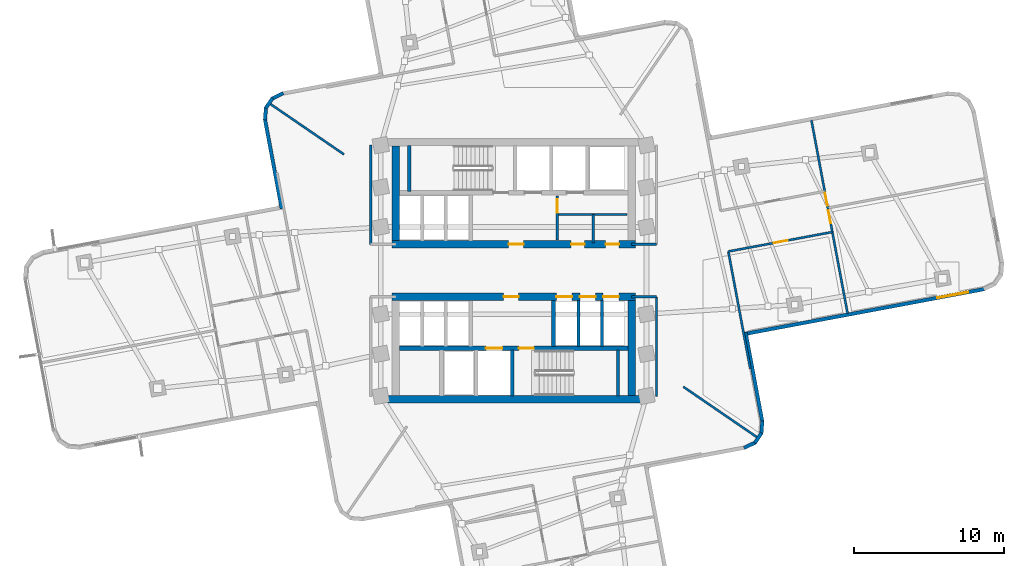
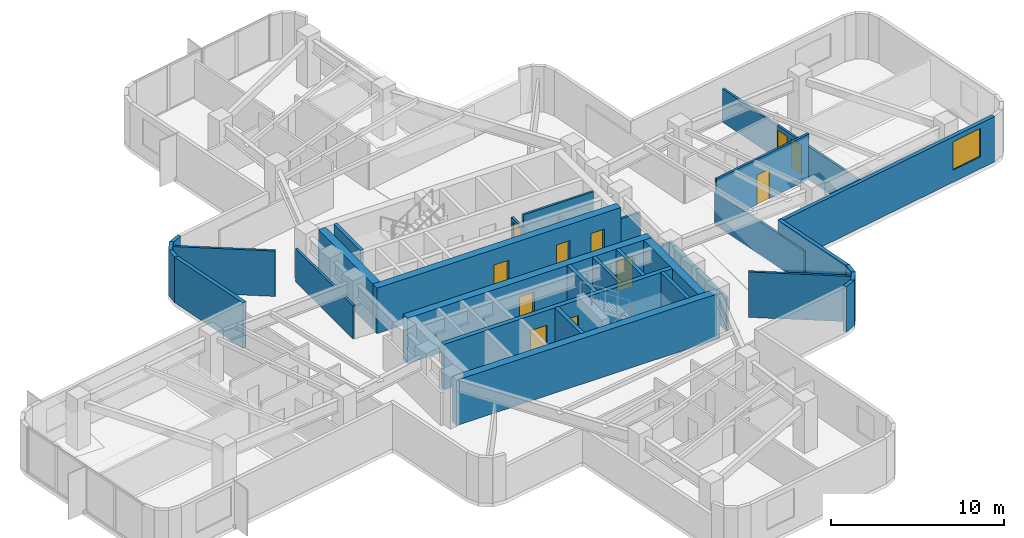
# One storey, part 7 of 12: 33 walls, 13 doors, 1 window, 14 openings.
"""IFC4 building model written with IfcOpenShell, lengths in metres."""

from ifc_helpers import new_model, si_unit, direction, frame, frame_2d, origin, place, context, subcontext, project, spatial, rectangle, extrude, material, layer, layer_set, type_object, element, fill, save


model = new_model("IFC4")

# Units and contexts
model_context = context("Model", 3, precision=1e-05, world=origin(), true_north=direction((0.0, 1.0)))
body_context = subcontext(model_context, "Body", "Model", "MODEL_VIEW")
ifc_project = project(units=[si_unit("LENGTHUNIT", "METRE"), si_unit("AREAUNIT", "SQUARE_METRE"), si_unit("VOLUMEUNIT", "CUBIC_METRE"), si_unit("PLANEANGLEUNIT", "RADIAN"), si_unit("MASSUNIT", "GRAM", prefix="KILO")], contexts=[model_context])

# Site, building, storey
site_placement = place(None, origin())
site = spatial("IfcSite", under=ifc_project, at=site_placement, CompositionType="ELEMENT")
building_placement = place(site_placement, origin())
building = spatial("IfcBuilding", under=site, at=building_placement, Name="Solmarez Civic Tower", CompositionType="ELEMENT")
storey_placement = place(building_placement, frame((0.0, 0.0, 103.679931640625)))
storey = spatial("IfcBuildingStorey", under=building, at=storey_placement, Name="L27", CompositionType="ELEMENT", Elevation=103.679931640625)

# Wall, openings, doors
ifc_material_1 = material(Name="Concrete C60/75", Category="concrete")
ifc_layer_1 = layer(ifc_material_1, 0.5)
ifc_layer_set_1 = layer_set([ifc_layer_1], Name="Concrete C60/75")
wall_type_1 = type_object("IfcWallType", Name="WALL-CORE-500", PredefinedType="SHEAR", material=ifc_layer_set_1)
wall_1_placement = place(storey_placement, frame((8.1201171875, 1.75, 0.0), z_axis=(0.0, 0.0, 1.0), x_axis=(-1.0, 0.0, 0.0)))
wall_1 = element("IfcWall", 1, at=wall_1_placement, inside=storey, type_object=wall_type_1, Name="L27 Split-Core Structural Wall NCW-S-L27", PredefinedType="SHEAR", context=body_context, shape_type="SweptSolid", body=[
    extrude(rectangle(XDim=16.240234375, YDim=0.5, at=frame_2d((8.1201171875, 0.0))), origin(), (0.0, 0.0, 1.0), 3.199951171875),
])
opening_1_placement = place(wall_1_placement, frame((7.449951171875, 0.0, 0.0)))
opening_1 = element("IfcOpeningElement", 2, at=opening_1_placement, cuts=wall_1, Name="Opening D-04", PredefinedType="OPENING", context=body_context, shape_type="SweptSolid", body=[
    extrude(rectangle(XDim=1.0, YDim=2.10009765625, at=frame_2d((0.5, 1.050048828125))), frame((0.0, 0.260009765625, 0.0), z_axis=(0.0, -1.0, 0.0), x_axis=(1.0, 0.0, 0.0)), (0.0, 0.0, 1.0), 0.52001953125),
])
opening_2_placement = place(wall_1_placement, frame((3.39990234375, 0.0, 0.0)))
opening_2 = element("IfcOpeningElement", 3, at=opening_2_placement, cuts=wall_1, Name="Opening D-09", PredefinedType="OPENING", context=body_context, shape_type="SweptSolid", body=[
    extrude(rectangle(XDim=0.89990234375, YDim=2.06005859375, at=frame_2d((0.449951171875, 1.030029296875))), frame((0.0, 0.260009765625, 0.0), z_axis=(0.0, -1.0, 0.0), x_axis=(1.0, 0.0, 0.0)), (0.0, 0.0, 1.0), 0.52001953125),
])
opening_3_placement = place(wall_1_placement, frame((1.10009765625, 0.0, 0.0)))
opening_3 = element("IfcOpeningElement", 4, at=opening_3_placement, cuts=wall_1, Name="Opening D-09", PredefinedType="OPENING", context=body_context, shape_type="SweptSolid", body=[
    extrude(rectangle(XDim=0.89990234375, YDim=2.06005859375, at=frame_2d((0.449951171875, 1.030029296875))), frame((0.0, 0.260009765625, 0.0), z_axis=(0.0, -1.0, 0.0), x_axis=(1.0, 0.0, 0.0)), (0.0, 0.0, 1.0), 0.52001953125),
])
ifc_material_2 = material(Name="Steel-Faced Acoustic Fire Door", Category="steel")
door_type_1 = type_object("IfcDoorType", Name="DOOR-FD60-1000", OperationType="NOTDEFINED", PredefinedType="DOOR", material=ifc_material_2)
door_1_placement = place(opening_1_placement, origin())
door_1 = element("IfcDoor", 5, at=door_1_placement, inside=storey, type_object=door_type_1, Name="L27 North Firefighting Lobby Door", OperationType="SINGLE_SWING_RIGHT", OverallHeight=2.10009765625, OverallWidth=1.0, PredefinedType="DOOR", context=body_context, shape_type="SweptSolid", body=[
    extrude(rectangle(XDim=1.0, YDim=2.10009765625, at=frame_2d((0.5, 1.050048828125))), frame((0.0, 0.02490234375, 0.0), z_axis=(0.0, -1.0, 0.0), x_axis=(1.0, 0.0, 0.0)), (0.0, 0.0, 1.0), 0.050048828125),
])
fill(opening_1, door_1)
ifc_material_3 = material(Name="Fire-Rated Service Core Door", Category="wood")
door_type_2 = type_object("IfcDoorType", Name="DOOR-FD60-900", OperationType="NOTDEFINED", PredefinedType="DOOR", material=ifc_material_3)
door_2_placement = place(opening_2_placement, origin())
door_2 = element("IfcDoor", 6, at=door_2_placement, inside=storey, type_object=door_type_2, Name="L27 Core WC Door", OperationType="SINGLE_SWING_LEFT", OverallHeight=2.06005859375, OverallWidth=0.89990234375, PredefinedType="DOOR", context=body_context, shape_type="SweptSolid", body=[
    extrude(rectangle(XDim=0.89990234375, YDim=2.06005859375, at=frame_2d((0.449951171875, 1.030029296875))), frame((0.0, 0.02490234375, 0.0), z_axis=(0.0, -1.0, 0.0), x_axis=(1.0, 0.0, 0.0)), (0.0, 0.0, 1.0), 0.050048828125),
])
fill(opening_2, door_2)
door_3_placement = place(opening_3_placement, origin())
door_3 = element("IfcDoor", 7, at=door_3_placement, inside=storey, type_object=door_type_2, Name="L27 Core CL Door", OperationType="SINGLE_SWING_RIGHT", OverallHeight=2.06005859375, OverallWidth=0.89990234375, PredefinedType="DOOR", context=body_context, shape_type="SweptSolid", body=[
    extrude(rectangle(XDim=0.89990234375, YDim=2.06005859375, at=frame_2d((0.449951171875, 1.030029296875))), frame((0.0, 0.02490234375, 0.0), z_axis=(0.0, -1.0, 0.0), x_axis=(1.0, 0.0, 0.0)), (0.0, 0.0, 1.0), 0.050048828125),
])
fill(opening_3, door_3)

# Walls
wall_2_placement = place(storey_placement, frame((-7.8701171875, 2.0, 0.0), z_axis=(0.0, 0.0, 1.0), x_axis=(0.0, 1.0, 0.0)))
element("IfcWall", 8, at=wall_2_placement, inside=storey, type_object=wall_type_1, Name="L27 Split-Core Structural Wall NCW-W-L27", PredefinedType="SHEAR", context=body_context, shape_type="SweptSolid", body=[
    extrude(rectangle(XDim=6.31005859375, YDim=0.5, at=frame_2d((3.155029296875, 0.0))), origin(), (0.0, 0.0, 1.0), 3.199951171875),
])
wall_3_placement = place(storey_placement, frame((8.780029296875, -8.56005859375, 0.0), z_axis=(0.0, 0.0, 1.0), x_axis=(-1.0, 0.0, 0.0)))
element("IfcWall", 9, at=wall_3_placement, inside=storey, type_object=wall_type_1, Name="L27 Split-Core Structural Wall SCW-S-L27", PredefinedType="SHEAR", context=body_context, shape_type="SweptSolid", body=[
    extrude(rectangle(XDim=17.56005859375, YDim=0.5, at=frame_2d((8.780029296875, 0.0))), origin(), (0.0, 0.0, 1.0), 3.199951171875),
])

# Wall, openings, doors
wall_4_placement = place(storey_placement, frame((-8.1201171875, -1.75, 0.0), z_axis=(0.0, 0.0, 1.0), x_axis=(1.0, 0.0, 0.0)))
wall_4 = element("IfcWall", 10, at=wall_4_placement, inside=storey, type_object=wall_type_1, Name="L27 Split-Core Structural Wall SCW-N-L27", PredefinedType="SHEAR", context=body_context, shape_type="SweptSolid", body=[
    extrude(rectangle(XDim=16.240234375, YDim=0.5, at=frame_2d((8.1201171875, 0.0))), origin(), (0.0, 0.0, 1.0), 3.199951171875),
])
opening_4_placement = place(wall_4_placement, frame((7.449951171875, 0.0, 0.0)))
opening_4 = element("IfcOpeningElement", 11, at=opening_4_placement, cuts=wall_4, Name="Opening D-04", PredefinedType="OPENING", context=body_context, shape_type="SweptSolid", body=[
    extrude(rectangle(XDim=1.0, YDim=2.10009765625, at=frame_2d((0.5, 1.050048828125))), frame((0.0, 0.260009765625, 0.0), z_axis=(0.0, -1.0, 0.0), x_axis=(1.0, 0.0, 0.0)), (0.0, 0.0, 1.0), 0.52001953125),
])
opening_5_placement = place(wall_4_placement, frame((10.965087890625, 0.0, 0.0)))
opening_5 = element("IfcOpeningElement", 12, at=opening_5_placement, cuts=wall_4, Name="Opening LD-01", PredefinedType="OPENING", context=body_context, shape_type="SweptSolid", body=[
    extrude(rectangle(XDim=1.050048828125, YDim=2.14990234375, at=frame_2d((0.52490234375, 1.074951171875))), frame((0.0, 0.260009765625, 0.0), z_axis=(0.0, -1.0, 0.0), x_axis=(1.0, 0.0, 0.0)), (0.0, 0.0, 1.0), 0.52001953125),
])
opening_6_placement = place(wall_4_placement, frame((12.52490234375, 0.0, 0.0)))
opening_6 = element("IfcOpeningElement", 13, at=opening_6_placement, cuts=wall_4, Name="Opening LD-01", PredefinedType="OPENING", context=body_context, shape_type="SweptSolid", body=[
    extrude(rectangle(XDim=1.050048828125, YDim=2.14990234375, at=frame_2d((0.52490234375, 1.074951171875))), frame((0.0, 0.260009765625, 0.0), z_axis=(0.0, -1.0, 0.0), x_axis=(1.0, 0.0, 0.0)), (0.0, 0.0, 1.0), 0.52001953125),
])
opening_7_placement = place(wall_4_placement, frame((14.0849609375, 0.0, 0.0)))
opening_7 = element("IfcOpeningElement", 14, at=opening_7_placement, cuts=wall_4, Name="Opening LD-01", PredefinedType="OPENING", context=body_context, shape_type="SweptSolid", body=[
    extrude(rectangle(XDim=1.050048828125, YDim=2.14990234375, at=frame_2d((0.52490234375, 1.074951171875))), frame((0.0, 0.260009765625, 0.0), z_axis=(0.0, -1.0, 0.0), x_axis=(1.0, 0.0, 0.0)), (0.0, 0.0, 1.0), 0.52001953125),
])
door_4_placement = place(opening_4_placement, origin())
door_4 = element("IfcDoor", 15, at=door_4_placement, inside=storey, type_object=door_type_1, Name="L27 South Firefighting Lobby Door", OperationType="SINGLE_SWING_LEFT", OverallHeight=2.10009765625, OverallWidth=1.0, PredefinedType="DOOR", context=body_context, shape_type="SweptSolid", body=[
    extrude(rectangle(XDim=1.0, YDim=2.10009765625, at=frame_2d((0.5, 1.050048828125))), frame((0.0, 0.02490234375, 0.0), z_axis=(0.0, -1.0, 0.0), x_axis=(1.0, 0.0, 0.0)), (0.0, 0.0, 1.0), 0.050048828125),
])
fill(opening_4, door_4)
ifc_material_4 = material(Name="Bronze Passenger Lift Landing Sliding Door", Category="aluminium")
door_type_3 = type_object("IfcDoorType", Name="DOOR-LD-PAX-1050", OperationType="DOUBLE_DOOR_SLIDING", PredefinedType="DOOR", material=ifc_material_4)
door_5_placement = place(opening_5_placement, origin())
door_5 = element("IfcDoor", 16, at=door_5_placement, inside=storey, type_object=door_type_3, Name="L27 Low-Rise Lift Landing Door PL-L1", OperationType="DOUBLE_DOOR_SLIDING", OverallHeight=2.14990234375, OverallWidth=1.050048828125, PredefinedType="DOOR", context=body_context, shape_type="SweptSolid", body=[
    extrude(rectangle(XDim=1.050048828125, YDim=2.14990234375, at=frame_2d((0.52490234375, 1.074951171875))), frame((0.0, 0.02490234375, 0.0), z_axis=(0.0, -1.0, 0.0), x_axis=(1.0, 0.0, 0.0)), (0.0, 0.0, 1.0), 0.050048828125),
])
fill(opening_5, door_5)
door_6_placement = place(opening_6_placement, origin())
door_6 = element("IfcDoor", 17, at=door_6_placement, inside=storey, type_object=door_type_3, Name="L27 Low-Rise Lift Landing Door PL-L2", OperationType="DOUBLE_DOOR_SLIDING", OverallHeight=2.14990234375, OverallWidth=1.050048828125, PredefinedType="DOOR", context=body_context, shape_type="SweptSolid", body=[
    extrude(rectangle(XDim=1.050048828125, YDim=2.14990234375, at=frame_2d((0.52490234375, 1.074951171875))), frame((0.0, 0.02490234375, 0.0), z_axis=(0.0, -1.0, 0.0), x_axis=(1.0, 0.0, 0.0)), (0.0, 0.0, 1.0), 0.050048828125),
])
fill(opening_6, door_6)
door_7_placement = place(opening_7_placement, origin())
door_7 = element("IfcDoor", 18, at=door_7_placement, inside=storey, type_object=door_type_3, Name="L27 Low-Rise Lift Landing Door PL-L3", OperationType="DOUBLE_DOOR_SLIDING", OverallHeight=2.14990234375, OverallWidth=1.050048828125, PredefinedType="DOOR", context=body_context, shape_type="SweptSolid", body=[
    extrude(rectangle(XDim=1.050048828125, YDim=2.14990234375, at=frame_2d((0.52490234375, 1.074951171875))), frame((0.0, 0.02490234375, 0.0), z_axis=(0.0, -1.0, 0.0), x_axis=(1.0, 0.0, 0.0)), (0.0, 0.0, 1.0), 0.050048828125),
])
fill(opening_7, door_7)

# Walls
wall_5_placement = place(storey_placement, frame((7.8701171875, -2.0, 0.0), z_axis=(0.0, 0.0, 1.0), x_axis=(0.0, -1.0, 0.0)))
element("IfcWall", 19, at=wall_5_placement, inside=storey, type_object=wall_type_1, Name="L27 Split-Core Structural Wall SCW-E-L27", PredefinedType="SHEAR", context=body_context, shape_type="SweptSolid", body=[
    extrude(rectangle(XDim=6.31005859375, YDim=0.5, at=frame_2d((3.155029296875, 0.0))), origin(), (0.0, 0.0, 1.0), 3.199951171875),
])
ifc_material_5 = material(Name="Precast concrete C40/50", Category="concrete")
ifc_layer_2 = layer(ifc_material_5, 0.239990234375)
ifc_layer_set_2 = layer_set([ifc_layer_2], Name="Precast concrete C40/50")
wall_type_2 = type_object("IfcWallType", Name="WALL-EXT-240", PredefinedType="SOLIDWALL", material=ifc_layer_set_2)
wall_6_placement = place(storey_placement, frame((-15.449951171875, 4.113037109375, 0.0), z_axis=(0.0, 0.0, 1.0), x_axis=(-0.18406771587, 0.982913564854, 0.0)))
element("IfcWall", 20, at=wall_6_placement, inside=storey, type_object=wall_type_2, Name="L27 Exterior Precast Wall 13", PredefinedType="SOLIDWALL", context=body_context, shape_type="SweptSolid", body=[
    extrude(rectangle(XDim=6.07470703125, YDim=0.239990234375, at=frame_2d((3.037353515625, 0.0))), origin(), (0.0, 0.0, 1.0), 3.199951171875),
])
wall_7_placement = place(storey_placement, frame((-16.56494140625, 10.033935546875, 0.0), z_axis=(0.0, 0.0, 1.0), x_axis=(0.077011179273, 0.997030229365, 0.0)))
element("IfcWall", 21, at=wall_7_placement, inside=storey, type_object=wall_type_2, Name="L27 Exterior Precast Wall 14", PredefinedType="SOLIDWALL", context=body_context, shape_type="SweptSolid", body=[
    extrude(rectangle(XDim=0.83056640625, YDim=0.239990234375, at=frame_2d((0.415283203125, 0.0))), origin(), (0.0, 0.0, 1.0), 3.199951171875),
])
wall_8_placement = place(storey_placement, frame((-16.51708984375, 10.81591796875, 0.0), z_axis=(0.0, 0.0, 1.0), x_axis=(0.563941688624, 0.825814611055, 0.0)))
element("IfcWall", 22, at=wall_8_placement, inside=storey, type_object=wall_type_2, Name="L27 Exterior Precast Wall 15", PredefinedType="SOLIDWALL", context=body_context, shape_type="SweptSolid", body=[
    extrude(rectangle(XDim=0.81396484375, YDim=0.239990234375, at=frame_2d((0.406982421875, 0.0))), origin(), (0.0, 0.0, 1.0), 3.199951171875),
])
wall_9_placement = place(storey_placement, frame((-16.094970703125, 11.4560546875, 0.0), z_axis=(0.0, 0.0, 1.0), x_axis=(0.902044756706, 0.431642510533, 0.0)))
element("IfcWall", 23, at=wall_9_placement, inside=storey, type_object=wall_type_2, Name="L27 Exterior Precast Wall 16", PredefinedType="SOLIDWALL", context=body_context, shape_type="SweptSolid", body=[
    extrude(rectangle(XDim=0.83154296875, YDim=0.239990234375, at=frame_2d((0.415771484375, 0.0))), origin(), (0.0, 0.0, 1.0), 3.199951171875),
])

# Wall, opening, window
wall_10_placement = place(storey_placement, frame((31.37109375, -1.22998046875, 0.0), z_axis=(0.0, 0.0, 1.0), x_axis=(-0.982920382654, -0.18403130539, 0.0)))
wall_10 = element("IfcWall", 24, at=wall_10_placement, inside=storey, type_object=wall_type_2, Name="L27 Exterior Precast Wall 46", PredefinedType="SOLIDWALL", context=body_context, shape_type="SweptSolid", body=[
    extrude(rectangle(XDim=16.275146484375, YDim=0.239990234375, at=frame_2d((8.1376953125, 0.0))), origin(), (0.0, 0.0, 1.0), 3.199951171875),
])
opening_8_placement = place(wall_10_placement, frame((1.10009765625, 0.0, 0.85009765625)))
opening_8 = element("IfcOpeningElement", 25, at=opening_8_placement, cuts=wall_10, Name="Opening W-03", PredefinedType="OPENING", context=body_context, shape_type="SweptSolid", body=[
    extrude(rectangle(XDim=2.10009765625, YDim=2.0, at=frame_2d((1.050048828125, 1.0))), frame((0.0, 0.1298828125, 0.0), z_axis=(0.0, -1.0, 0.0), x_axis=(1.0, 0.0, 0.0)), (0.0, 0.0, 1.0), 0.260009765625),
])
ifc_material_6 = material(Name="Solar Control Bronze-Tinted Insulating Glass", Category="glass")
window_type = type_object("IfcWindowType", Name="WIN-2100X2000", PartitioningType="SINGLE_PANEL", PredefinedType="WINDOW", material=ifc_material_6)
window_placement = place(opening_8_placement, origin())
window = element("IfcWindow", 26, at=window_placement, inside=storey, type_object=window_type, Name="L27 Exterior Facade Window 46", OverallHeight=2.0, OverallWidth=2.10009765625, PartitioningType="SINGLE_PANEL", PredefinedType="WINDOW", context=body_context, shape_type="SweptSolid", body=[
    extrude(rectangle(XDim=2.10009765625, YDim=2.0, at=frame_2d((1.050048828125, 1.0))), frame((0.0, 0.030029296875, 0.0), z_axis=(0.0, -1.0, 0.0), x_axis=(1.0, 0.0, 0.0)), (0.0, 0.0, 1.0), 0.06005859375),
])
fill(opening_8, window)

# Walls
wall_11_placement = place(storey_placement, frame((15.449951171875, -4.113037109375, 0.0), z_axis=(0.0, 0.0, 1.0), x_axis=(0.18406771587, -0.982913564854, 0.0)))
element("IfcWall", 27, at=wall_11_placement, inside=storey, type_object=wall_type_2, Name="L27 Exterior Precast Wall 49", PredefinedType="SOLIDWALL", context=body_context, shape_type="SweptSolid", body=[
    extrude(rectangle(XDim=6.07470703125, YDim=0.239990234375, at=frame_2d((3.037353515625, 0.0))), origin(), (0.0, 0.0, 1.0), 3.199951171875),
])
wall_12_placement = place(storey_placement, frame((16.56494140625, -10.033935546875, 0.0), z_axis=(0.0, 0.0, 1.0), x_axis=(-0.077011179273, -0.997030229365, 0.0)))
element("IfcWall", 28, at=wall_12_placement, inside=storey, type_object=wall_type_2, Name="L27 Exterior Precast Wall 50", PredefinedType="SOLIDWALL", context=body_context, shape_type="SweptSolid", body=[
    extrude(rectangle(XDim=0.83056640625, YDim=0.239990234375, at=frame_2d((0.415283203125, 0.0))), origin(), (0.0, 0.0, 1.0), 3.199951171875),
])
wall_13_placement = place(storey_placement, frame((16.51708984375, -10.81591796875, 0.0), z_axis=(0.0, 0.0, 1.0), x_axis=(-0.563941688624, -0.825814611055, 0.0)))
element("IfcWall", 29, at=wall_13_placement, inside=storey, type_object=wall_type_2, Name="L27 Exterior Precast Wall 51", PredefinedType="SOLIDWALL", context=body_context, shape_type="SweptSolid", body=[
    extrude(rectangle(XDim=0.81396484375, YDim=0.239990234375, at=frame_2d((0.406982421875, 0.0))), origin(), (0.0, 0.0, 1.0), 3.199951171875),
])
wall_14_placement = place(storey_placement, frame((16.094970703125, -11.4560546875, 0.0), z_axis=(0.0, 0.0, 1.0), x_axis=(-0.902044756706, -0.431642510533, 0.0)))
element("IfcWall", 30, at=wall_14_placement, inside=storey, type_object=wall_type_2, Name="L27 Exterior Precast Wall 52", PredefinedType="SOLIDWALL", context=body_context, shape_type="SweptSolid", body=[
    extrude(rectangle(XDim=0.83154296875, YDim=0.239990234375, at=frame_2d((0.415771484375, 0.0))), origin(), (0.0, 0.0, 1.0), 3.199951171875),
])
ifc_material_7 = material(Name="Gypsum Board Acoustic Steel-Stud Partition", Category="steel")
ifc_layer_3 = layer(ifc_material_7, 0.14990234375)
ifc_layer_set_3 = layer_set([ifc_layer_3], Name="Gypsum Board Acoustic Steel-Stud Partition")
wall_type_3 = type_object("IfcWallType", Name="WALL-INT-FIRE-150", PredefinedType="PARTITIONING", material=ifc_layer_set_3)
wall_15_placement = place(storey_placement, frame((-9.52001953125, 1.75, 0.0), z_axis=(0.0, 0.0, 1.0), x_axis=(0.0, 1.0, 0.0)))
element("IfcWall", 31, at=wall_15_placement, inside=storey, type_object=wall_type_3, Name="L27 Interior Partition CHW-L27-WN1", PredefinedType="PARTITIONING", context=body_context, shape_type="SweptSolid", body=[
    extrude(rectangle(XDim=6.6298828125, YDim=0.14990234375, at=frame_2d((3.31494140625, 0.0))), origin(), (0.0, 0.0, 1.0), 2.345947265625),
])
wall_16_placement = place(storey_placement, frame((7.85009765625, 1.75, 0.0), z_axis=(0.0, 0.0, 1.0), x_axis=(1.0, 0.0, 0.0)))
element("IfcWall", 32, at=wall_16_placement, inside=storey, type_object=wall_type_3, Name="L27 Interior Partition CHW-L27-EN3", PredefinedType="PARTITIONING", context=body_context, shape_type="SweptSolid", body=[
    extrude(rectangle(XDim=1.669921875, YDim=0.14990234375, at=frame_2d((0.8349609375, 0.0))), origin(), (0.0, 0.0, 1.0), 2.26513671875),
])
wall_17_placement = place(storey_placement, frame((9.52001953125, -8.3798828125, 0.0), z_axis=(0.0, 0.0, 1.0), x_axis=(0.0, 1.0, 0.0)))
element("IfcWall", 33, at=wall_17_placement, inside=storey, type_object=wall_type_3, Name="L27 Interior Partition CHW-L27-ES1", PredefinedType="PARTITIONING", context=body_context, shape_type="SweptSolid", body=[
    extrude(rectangle(XDim=6.6298828125, YDim=0.14990234375, at=frame_2d((3.31494140625, 0.0))), origin(), (0.0, 0.0, 1.0), 2.345947265625),
])
wall_18_placement = place(storey_placement, frame((7.85009765625, -1.75, 0.0), z_axis=(0.0, 0.0, 1.0), x_axis=(1.0, 0.0, 0.0)))
element("IfcWall", 34, at=wall_18_placement, inside=storey, type_object=wall_type_3, Name="L27 Interior Partition CHW-L27-ES3", PredefinedType="PARTITIONING", context=body_context, shape_type="SweptSolid", body=[
    extrude(rectangle(XDim=1.669921875, YDim=0.14990234375, at=frame_2d((0.8349609375, 0.0))), origin(), (0.0, 0.0, 1.0), 2.26513671875),
])
ifc_layer_4 = layer(ifc_material_7, 0.14501953125)
ifc_layer_set_4 = layer_set([ifc_layer_4], Name="Gypsum Board Acoustic Steel-Stud Partition")
wall_type_4 = type_object("IfcWallType", Name="WALL-INT-PART-150", PredefinedType="PARTITIONING", material=ifc_layer_set_4)
for number, where, z_axis, x_axis, name in (
    (35, (-11.300048828125, 7.738037109375, 0.0), (0.0, 0.0, 1.0), (-0.825173577049, 0.564879250584, 0.0), "L27 Interior Partition PT-L27-QDIV-2"),
    (36, (11.300048828125, -7.738037109375, 0.0), (0.0, 0.0, 1.0), (0.825173577049, -0.564879250584, 0.0), "L27 Interior Partition PT-L27-QDIV-4"),
):
    element("IfcWall", number, at=place(storey_placement, frame(where, z_axis=z_axis, x_axis=x_axis)), inside=storey, type_object=wall_type_4, Name=name, PredefinedType="PARTITIONING", context=body_context, shape_type="SweptSolid", body=[
        extrude(rectangle(XDim=5.958740234375, YDim=0.14501953125, at=frame_2d((2.9794921875, 0.0))), origin(), (0.0, 0.0, 1.0), 3.199951171875),
    ])
wall_19_placement = place(storey_placement, frame((15.760986328125, -6.531982421875, 0.0), z_axis=(0.0, 0.0, 1.0), x_axis=(-0.184017811376, 0.98292290903, 0.0)))
element("IfcWall", 37, at=wall_19_placement, inside=storey, type_object=wall_type_4, Name="L27 Interior Partition PT-L27-E-EFR", PredefinedType="PARTITIONING", context=body_context, shape_type="SweptSolid", body=[
    extrude(rectangle(XDim=7.94970703125, YDim=0.14501953125, at=frame_2d((3.974853515625, 0.0))), origin(), (0.0, 0.0, 1.0), 2.345947265625),
])

# Wall, opening, door
wall_20_placement = place(storey_placement, frame((14.300048828125, 1.27197265625, 0.0), z_axis=(0.0, 0.0, 1.0), x_axis=(0.98292976592, 0.183981181833, 0.0)))
wall_20 = element("IfcWall", 38, at=wall_20_placement, inside=storey, type_object=wall_type_4, Name="L27 Interior Partition PT-L27-E-SR", PredefinedType="PARTITIONING", context=body_context, shape_type="SweptSolid", body=[
    extrude(rectangle(XDim=7.05029296875, YDim=0.14501953125, at=frame_2d((3.525146484375, 0.0))), origin(), (0.0, 0.0, 1.0), 3.199951171875),
])
opening_9_placement = place(wall_20_placement, frame((3.074951171875, 0.0, 0.0)))
opening_9 = element("IfcOpeningElement", 39, at=opening_9_placement, cuts=wall_20, Name="Opening D-10", PredefinedType="OPENING", context=body_context, shape_type="SweptSolid", body=[
    extrude(rectangle(XDim=0.949951171875, YDim=2.080078125, at=frame_2d((0.47509765625, 1.0400390625))), frame((0.0, 0.08251953125, 0.0), z_axis=(0.0, -1.0, 0.0), x_axis=(1.0, 0.0, 0.0)), (0.0, 0.0, 1.0), 0.1650390625),
])
ifc_material_8 = material(Name="Solid-Core Timber Ministry Office Door", Category="wood")
door_type_4 = type_object("IfcDoorType", Name="DOOR-INT-950", OperationType="NOTDEFINED", PredefinedType="DOOR", material=ifc_material_8)
door_8_placement = place(opening_9_placement, origin())
door_8 = element("IfcDoor", 40, at=door_8_placement, inside=storey, type_object=door_type_4, Name="L27 Counsel Administration Office East Door", OperationType="SINGLE_SWING_RIGHT", OverallHeight=2.080078125, OverallWidth=0.949951171875, PredefinedType="DOOR", context=body_context, shape_type="SweptSolid", body=[
    extrude(rectangle(XDim=0.949951171875, YDim=2.080078125, at=frame_2d((0.47509765625, 1.0400390625))), frame((0.0, 0.02490234375, 0.0), z_axis=(0.0, -1.0, 0.0), x_axis=(1.0, 0.0, 0.0)), (0.0, 0.0, 1.0), 0.050048828125),
])
fill(opening_9, door_8)

# Wall, openings, doors
wall_21_placement = place(storey_placement, frame((19.8359375, 10.014892578125, 0.0), z_axis=(0.0, 0.0, 1.0), x_axis=(0.183949578206, -0.982935680845, 0.0)))
wall_21 = element("IfcWall", 41, at=wall_21_placement, inside=storey, type_object=wall_type_4, Name="L27 Interior Partition PT-L27-E-END", PredefinedType="PARTITIONING", context=body_context, shape_type="SweptSolid", body=[
    extrude(rectangle(XDim=13.09033203125, YDim=0.14501953125, at=frame_2d((6.545166015625, 0.0))), origin(), (0.0, 0.0, 1.0), 2.345947265625),
])
opening_10_placement = place(wall_21_placement, frame((6.114990234375, 0.0, 0.0)))
opening_10 = element("IfcOpeningElement", 42, at=opening_10_placement, cuts=wall_21, Name="Opening D-14", PredefinedType="OPENING", context=body_context, shape_type="SweptSolid", body=[
    extrude(rectangle(XDim=0.860107421875, YDim=2.0400390625, at=frame_2d((0.43017578125, 1.02001953125))), frame((0.0, 0.08251953125, 0.0), z_axis=(0.0, -1.0, 0.0), x_axis=(1.0, 0.0, 0.0)), (0.0, 0.0, 1.0), 0.1650390625),
])
opening_11_placement = place(wall_21_placement, frame((4.9150390625, 0.0, 0.0)))
opening_11 = element("IfcOpeningElement", 43, at=opening_11_placement, cuts=wall_21, Name="Opening D-14", PredefinedType="OPENING", context=body_context, shape_type="SweptSolid", body=[
    extrude(rectangle(XDim=0.860107421875, YDim=2.0400390625, at=frame_2d((0.43017578125, 1.02001953125))), frame((0.0, 0.08251953125, 0.0), z_axis=(0.0, -1.0, 0.0), x_axis=(1.0, 0.0, 0.0)), (0.0, 0.0, 1.0), 0.1650390625),
])
ifc_material_9 = material(Name="Timber Storage and Pantry Door", Category="wood")
door_type_5 = type_object("IfcDoorType", Name="DOOR-INT-850", OperationType="NOTDEFINED", PredefinedType="DOOR", material=ifc_material_9)
door_9_placement = place(opening_10_placement, origin())
door_9 = element("IfcDoor", 44, at=door_9_placement, inside=storey, type_object=door_type_5, Name="L27 Delegates Lounge Sixth East Door", OperationType="SINGLE_SWING_RIGHT", OverallHeight=2.0400390625, OverallWidth=0.860107421875, PredefinedType="DOOR", context=body_context, shape_type="SweptSolid", body=[
    extrude(rectangle(XDim=0.860107421875, YDim=2.0400390625, at=frame_2d((0.43017578125, 1.02001953125))), frame((0.0, 0.02490234375, 0.0), z_axis=(0.0, -1.0, 0.0), x_axis=(1.0, 0.0, 0.0)), (0.0, 0.0, 1.0), 0.050048828125),
])
fill(opening_10, door_9)
door_10_placement = place(opening_11_placement, origin())
door_10 = element("IfcDoor", 45, at=door_10_placement, inside=storey, type_object=door_type_5, Name="L27 Public Reading Room Fifth East Door", OperationType="SINGLE_SWING_LEFT", OverallHeight=2.0400390625, OverallWidth=0.860107421875, PredefinedType="DOOR", context=body_context, shape_type="SweptSolid", body=[
    extrude(rectangle(XDim=0.860107421875, YDim=2.0400390625, at=frame_2d((0.43017578125, 1.02001953125))), frame((0.0, 0.02490234375, 0.0), z_axis=(0.0, -1.0, 0.0), x_axis=(1.0, 0.0, 0.0)), (0.0, 0.0, 1.0), 0.050048828125),
])
fill(opening_11, door_10)

# Wall, opening, door
ifc_layer_5 = layer(ifc_material_7, 0.159912109375)
ifc_layer_set_5 = layer_set([ifc_layer_5], Name="Gypsum Board Acoustic Steel-Stud Partition")
wall_type_5 = type_object("IfcWallType", Name="WALL-INT-SHAFT-160", PredefinedType="PARTITIONING", material=ifc_layer_set_5)
wall_22_placement = place(storey_placement, frame((2.89990234375, 2.0400390625, 0.0), z_axis=(0.0, 0.0, 1.0), x_axis=(0.0, 1.0, 0.0)))
wall_22 = element("IfcWall", 46, at=wall_22_placement, inside=storey, type_object=wall_type_5, Name="L27 Interior Partition SHW-NL2-L27", PredefinedType="PARTITIONING", context=body_context, shape_type="SweptSolid", body=[
    extrude(rectangle(XDim=2.93994140625, YDim=0.159912109375, at=frame_2d((1.469970703125, 0.0))), origin(), (0.0, 0.0, 1.0), 2.26513671875),
])
opening_12_placement = place(wall_22_placement, frame((1.820068359375, 0.0, 0.0)))
opening_12 = element("IfcOpeningElement", 47, at=opening_12_placement, cuts=wall_22, Name="Opening D-09", PredefinedType="OPENING", context=body_context, shape_type="SweptSolid", body=[
    extrude(rectangle(XDim=0.89990234375, YDim=2.06005859375, at=frame_2d((0.449951171875, 1.030029296875))), frame((0.0, 0.08984375, 0.0), z_axis=(0.0, -1.0, 0.0), x_axis=(1.0, 0.0, 0.0)), (0.0, 0.0, 1.0), 0.179931640625),
])
door_11_placement = place(opening_12_placement, origin())
door_11 = element("IfcDoor", 48, at=door_11_placement, inside=storey, type_object=door_type_2, Name="L27 Service Lift Lobby Door", OperationType="SINGLE_SWING_LEFT", OverallHeight=2.06005859375, OverallWidth=0.89990234375, PredefinedType="DOOR", context=body_context, shape_type="SweptSolid", body=[
    extrude(rectangle(XDim=0.89990234375, YDim=2.06005859375, at=frame_2d((0.449951171875, 1.030029296875))), frame((0.0, 0.02490234375, 0.0), z_axis=(0.0, -1.0, 0.0), x_axis=(1.0, 0.0, 0.0)), (0.0, 0.0, 1.0), 0.050048828125),
])
fill(opening_12, door_11)

# Walls
ifc_layer_6 = layer(ifc_material_7, 0.137939453125)
ifc_layer_set_6 = layer_set([ifc_layer_6], Name="Gypsum Board Acoustic Steel-Stud Partition")
wall_type_6 = type_object("IfcWallType", Name="WALL-INT-WET-140", PredefinedType="PARTITIONING", material=ifc_layer_set_6)
wall_23_placement = place(storey_placement, frame((2.89990234375, 3.739990234375, 0.0), z_axis=(0.0, 0.0, 1.0), x_axis=(1.0, 0.0, 0.0)))
element("IfcWall", 49, at=wall_23_placement, inside=storey, type_object=wall_type_6, Name="L27 Interior Partition SHW-SVH-L27", PredefinedType="PARTITIONING", context=body_context, shape_type="SweptSolid", body=[
    extrude(rectangle(XDim=4.650146484375, YDim=0.137939453125, at=frame_2d((2.3251953125, 0.0))), origin(), (0.0, 0.0, 1.0), 3.199951171875),
])
wall_24_placement = place(storey_placement, frame((5.300048828125, 1.85009765625, 0.0), z_axis=(0.0, 0.0, 1.0), x_axis=(0.0, 1.0, 0.0)))
element("IfcWall", 50, at=wall_24_placement, inside=storey, type_object=wall_type_6, Name="L27 Interior Partition PT-NCSV-L27", PredefinedType="PARTITIONING", context=body_context, shape_type="SweptSolid", body=[
    extrude(rectangle(XDim=1.889892578125, YDim=0.137939453125, at=frame_2d((0.94482421875, 0.0))), origin(), (0.0, 0.0, 1.0), 2.26513671875),
])

# Wall, openings, doors
ifc_material_10 = material(Name="Concrete C50/60", Category="concrete")
ifc_layer_7 = layer(ifc_material_10, 0.300048828125)
ifc_layer_set_7 = layer_set([ifc_layer_7], Name="Concrete C50/60")
wall_type_7 = type_object("IfcWallType", Name="WALL-STR-300", PredefinedType="SOLIDWALL", material=ifc_layer_set_7)
wall_25_placement = place(storey_placement, frame((-7.6201171875, -5.179931640625, 0.0), z_axis=(0.0, 0.0, 1.0), x_axis=(1.0, 0.0, 0.0)))
wall_25 = element("IfcWall", 51, at=wall_25_placement, inside=storey, type_object=wall_type_7, Name="L27 Split-Core Structural Wall SCW-M-L27", PredefinedType="SOLIDWALL", context=body_context, shape_type="SweptSolid", body=[
    extrude(rectangle(XDim=15.240234375, YDim=0.300048828125, at=frame_2d((7.6201171875, 0.0))), origin(), (0.0, 0.0, 1.0), 3.199951171875),
])
opening_13_placement = place(wall_25_placement, frame((5.77001953125, 0.0, 0.0)))
opening_13 = element("IfcOpeningElement", 52, at=opening_13_placement, cuts=wall_25, Name="Opening LD-02", PredefinedType="OPENING", context=body_context, shape_type="SweptSolid", body=[
    extrude(rectangle(XDim=1.10009765625, YDim=2.14990234375, at=frame_2d((0.550048828125, 1.074951171875))), frame((0.0, 0.159912109375, 0.0), z_axis=(0.0, -1.0, 0.0), x_axis=(1.0, 0.0, 0.0)), (0.0, 0.0, 1.0), 0.320068359375),
])
opening_14_placement = place(wall_25_placement, frame((7.969970703125, 0.0, 0.0)))
opening_14 = element("IfcOpeningElement", 53, at=opening_14_placement, cuts=wall_25, Name="Opening D-05", PredefinedType="OPENING", context=body_context, shape_type="SweptSolid", body=[
    extrude(rectangle(XDim=1.0, YDim=2.10009765625, at=frame_2d((0.5, 1.050048828125))), frame((0.0, 0.159912109375, 0.0), z_axis=(0.0, -1.0, 0.0), x_axis=(1.0, 0.0, 0.0)), (0.0, 0.0, 1.0), 0.320068359375),
])
ifc_material_11 = material(Name="Fire-Rated Stairwell Exit Door", Category="wood")
door_type_6 = type_object("IfcDoorType", Name="DOOR-FD90-1000", OperationType="NOTDEFINED", PredefinedType="DOOR", material=ifc_material_11)
door_12_placement = place(opening_14_placement, origin())
door_12 = element("IfcDoor", 54, at=door_12_placement, inside=storey, type_object=door_type_6, Name="L27 South Exit Stair Door ST-2", OperationType="SINGLE_SWING_LEFT", OverallHeight=2.10009765625, OverallWidth=1.0, PredefinedType="DOOR", context=body_context, shape_type="SweptSolid", body=[
    extrude(rectangle(XDim=1.0, YDim=2.10009765625, at=frame_2d((0.5, 1.050048828125))), frame((0.0, 0.02490234375, 0.0), z_axis=(0.0, -1.0, 0.0), x_axis=(1.0, 0.0, 0.0)), (0.0, 0.0, 1.0), 0.050048828125),
])
fill(opening_14, door_12)
ifc_material_12 = material(Name="Stainless Firefighting Lift Landing Sliding Door", Category="aluminium")
door_type_7 = type_object("IfcDoorType", Name="DOOR-LD-FF-1100", OperationType="DOUBLE_DOOR_SLIDING", PredefinedType="DOOR", material=ifc_material_12)
door_13_placement = place(opening_13_placement, origin())
door_13 = element("IfcDoor", 55, at=door_13_placement, inside=storey, type_object=door_type_7, Name="L27 Firefighting Lift Landing Door FFL-2", OperationType="DOUBLE_DOOR_SLIDING", OverallHeight=2.14990234375, OverallWidth=1.10009765625, PredefinedType="DOOR", context=body_context, shape_type="SweptSolid", body=[
    extrude(rectangle(XDim=1.10009765625, YDim=2.14990234375, at=frame_2d((0.550048828125, 1.074951171875))), frame((0.0, 0.02490234375, 0.0), z_axis=(0.0, -1.0, 0.0), x_axis=(1.0, 0.0, 0.0)), (0.0, 0.0, 1.0), 0.050048828125),
])
fill(opening_13, door_13)

# Walls
for number, where, z_axis, x_axis, name in (
    (56, (-6.949951171875, 5.280029296875, 0.0), (0.0, 0.0, 1.0), (0.0, 1.0, 0.0), "L27 Split-Core Structural Wall SHW-NW-L27"),
    (57, (6.949951171875, -8.340087890625, 0.0), (0.0, 0.0, 1.0), (0.0, 1.0, 0.0), "L27 Split-Core Structural Wall SHW-SE-L27"),
):
    element("IfcWall", number, at=place(storey_placement, frame(where, z_axis=z_axis, x_axis=x_axis)), inside=storey, type_object=wall_type_7, Name=name, PredefinedType="SOLIDWALL", context=body_context, shape_type="SweptSolid", body=[
        extrude(rectangle(XDim=3.06005859375, YDim=0.219970703125, at=frame_2d((1.530029296875, 0.0))), origin(), (0.0, 0.0, 1.0), 3.199951171875),
    ])
wall_26_placement = place(storey_placement, frame((-0.10009765625, -8.340087890625, 0.0), z_axis=(0.0, 0.0, 1.0), x_axis=(0.0, 1.0, 0.0)))
element("IfcWall", 58, at=wall_26_placement, inside=storey, type_object=wall_type_7, Name="L27 Split-Core Structural Wall SHW-S1-L27", PredefinedType="SOLIDWALL", context=body_context, shape_type="SweptSolid", body=[
    extrude(rectangle(XDim=3.0400390625, YDim=0.25, at=frame_2d((1.52001953125, 0.0))), origin(), (0.0, 0.0, 1.0), 3.199951171875),
])
wall_27_placement = place(storey_placement, frame((2.64990234375, -5.050048828125, 0.0), z_axis=(0.0, 0.0, 1.0), x_axis=(0.0, 1.0, 0.0)))
element("IfcWall", 59, at=wall_27_placement, inside=storey, type_object=wall_type_7, Name="L27 Split-Core Structural Wall SHW-SL2-L27", PredefinedType="SOLIDWALL", context=body_context, shape_type="SweptSolid", body=[
    extrude(rectangle(XDim=3.070068359375, YDim=0.25, at=frame_2d((1.53515625, 0.0))), origin(), (0.0, 0.0, 1.0), 3.199951171875),
])
for number, where, z_axis, x_axis, name in (
    (60, (4.320068359375, -5.050048828125, 0.0), (0.0, 0.0, 1.0), (0.0, 1.0, 0.0), "L27 Split-Core Structural Wall SHW-PLL-L27-1"),
    (61, (5.8798828125, -5.050048828125, 0.0), (0.0, 0.0, 1.0), (0.0, 1.0, 0.0), "L27 Split-Core Structural Wall SHW-PLL-L27-2"),
):
    element("IfcWall", number, at=place(storey_placement, frame(where, z_axis=z_axis, x_axis=x_axis)), inside=storey, type_object=wall_type_7, Name=name, PredefinedType="SOLIDWALL", context=body_context, shape_type="SweptSolid", body=[
        extrude(rectangle(XDim=3.070068359375, YDim=0.219970703125, at=frame_2d((1.53515625, 0.0))), origin(), (0.0, 0.0, 1.0), 3.199951171875),
    ])

save(model, "model.ifc")
